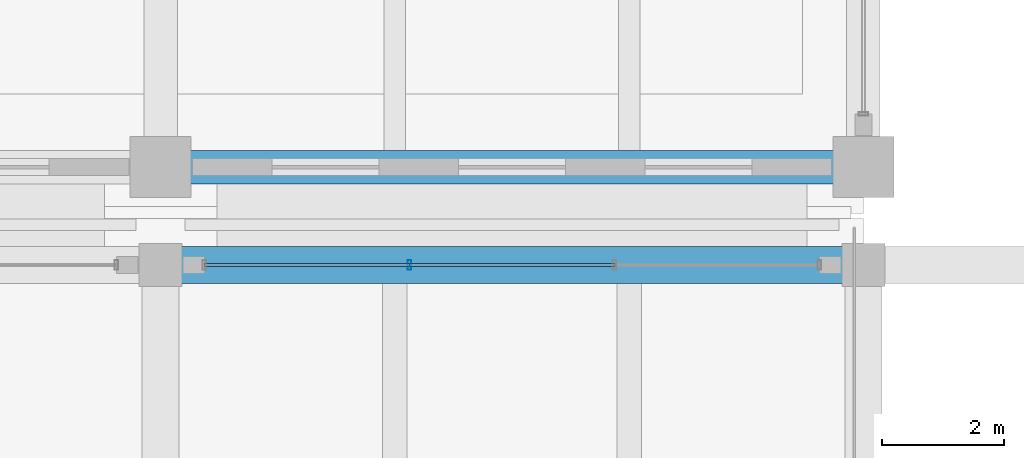
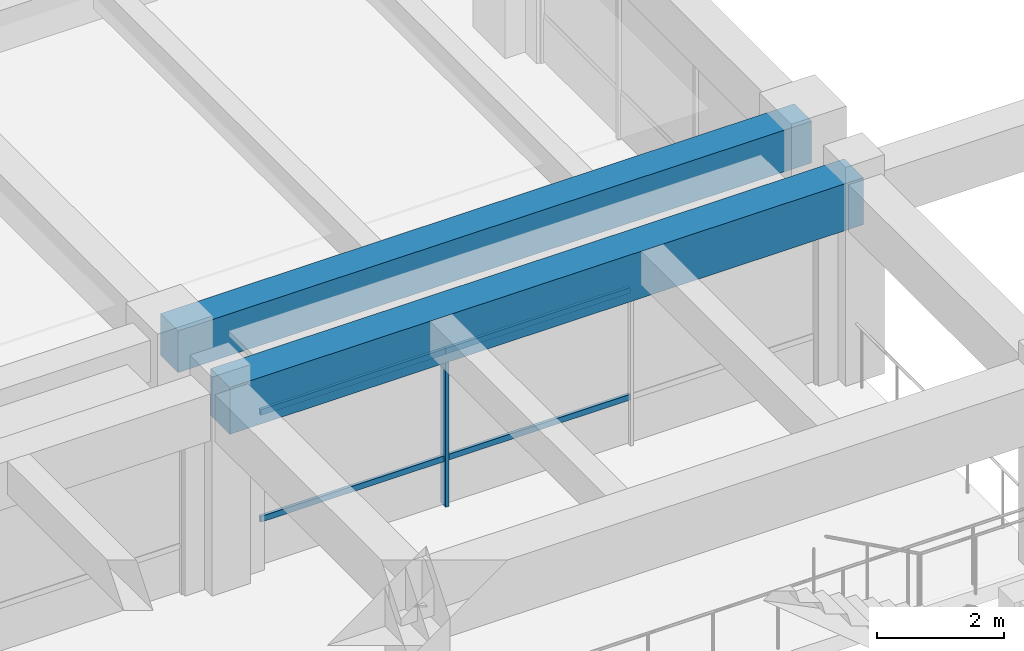
# One storey, part 27 of 98: 5 members, 2 beams, 1 element without a shape of its own.
"""IFC4 building model written with IfcOpenShell, lengths in metres."""

from ifc_helpers import new_model, si_unit, direction, frame, origin, origin_2d, place, context, subcontext, project, spatial, rectangle, hollow_rectangle, extrude, material, material_profile, profile_set, type_object, element, aggregate, save


model = new_model("IFC4")

# Units and contexts
model_context = context("Model", 3, precision=1e-05, world=origin(), true_north=direction((0.0, 1.0)))
body_context = subcontext(model_context, "Body", "Model", "MODEL_VIEW")
ifc_project = project(units=[si_unit("LENGTHUNIT", "METRE"), si_unit("AREAUNIT", "SQUARE_METRE"), si_unit("VOLUMEUNIT", "CUBIC_METRE"), si_unit("PLANEANGLEUNIT", "RADIAN"), si_unit("MASSUNIT", "GRAM", prefix="KILO")], contexts=[model_context])

# Site, building, storey
site_placement = place(None, origin())
site = spatial("IfcSite", under=ifc_project, at=site_placement, CompositionType="ELEMENT")
building_placement = place(site_placement, origin())
building = spatial("IfcBuilding", under=site, at=building_placement, Name="Ologun Quay Terminus", CompositionType="ELEMENT")
storey_placement = place(building_placement, frame((0.0, 0.0, 4.199951171875)))
storey = spatial("IfcBuildingStorey", under=building, at=storey_placement, Name="L01", CompositionType="ELEMENT", Elevation=4.199951171875)

# Curtain wall, members
ifc_material_1 = material(Name="Aluminium 6063-T6", Category="aluminium")
curtain_wall_type = type_object("IfcCurtainWallType", Name="Forecourt Mezzanine Curtain Wall 10700x3850", PredefinedType="USERDEFINED", material=ifc_material_1)
curtain_wall_placement = place(storey_placement, origin())
curtain_wall = element("IfcCurtainWall", 1, at=curtain_wall_placement, inside=storey, type_object=curtain_wall_type, Name="CW-04 Curtain Wall CW-L01-089", ObjectType="UNITISED CURTAIN WALL", PredefinedType="USERDEFINED")
ifc_material_2 = material(Name="Aluminium 6063-T6", Category="aluminium")
ifc_material_profile_1 = material_profile(ifc_material_2, hollow_rectangle(XDim=0.06005859375, YDim=0.159912109375, WallThickness=0.00390625, at=origin_2d()), Name="ALU 160x60x4")
ifc_profile_set_1 = profile_set([ifc_material_profile_1], Name="Aluminium 6063-T6")
member_type_1 = type_object("IfcMemberType", Name="Courtyard Screen Mullion 160x65", PredefinedType="MULLION", material=ifc_profile_set_1)
member_1_placement = place(storey_placement, frame((61.5732421875, 84.199951171875, 0.0), z_axis=(0.0, 0.0, 1.0), x_axis=(1.0, 0.0, 0.0)))
member_1 = element("IfcMember", 2, at=member_1_placement, type_object=member_type_1, Name="CW-L01-089 Mullion 2", PredefinedType="MULLION", context=body_context, shape_type="SweptSolid", body=[
    extrude(hollow_rectangle(XDim=0.06005859375, YDim=0.159912109375, WallThickness=0.00390625, at=origin_2d()), origin(), (0.0, 0.0, 1.0), 3.650146484375),
])
ifc_material_3 = material(Name="Aluminium 6063-T6", Category="aluminium")
ifc_material_profile_2 = material_profile(ifc_material_3, hollow_rectangle(XDim=0.054931640625, YDim=0.110107421875, WallThickness=0.00390625, at=origin_2d()), Name="ALU 110x55x4")
ifc_profile_set_2 = profile_set([ifc_material_profile_2], Name="Aluminium 6063-T6")
member_type_2 = type_object("IfcMemberType", Name="Courtyard Screen Transom 110x55", PredefinedType="USERDEFINED", material=ifc_profile_set_2)
member_2_placement = place(storey_placement, frame((58.219970703125, 84.199951171875, 0.900146484375), z_axis=(1.0, 0.0, 0.0), x_axis=(0.0, 1.0, 0.0)))
member_2 = element("IfcMember", 3, at=member_2_placement, type_object=member_type_2, Name="CW-L01-089 Transom B1-1", ObjectType="TRANSOM", PredefinedType="USERDEFINED", context=body_context, shape_type="SweptSolid", body=[
    extrude(hollow_rectangle(XDim=0.054931640625, YDim=0.110107421875, WallThickness=0.00390625, at=origin_2d()), origin(), (0.0, 0.0, 1.0), 3.353271484375),
])
member_3_placement = place(storey_placement, frame((58.219970703125, 84.199951171875, 2.949951171875), z_axis=(1.0, 0.0, 0.0), x_axis=(0.0, 1.0, 0.0)))
member_3 = element("IfcMember", 4, at=member_3_placement, type_object=member_type_2, Name="CW-L01-089 Transom B1-2", ObjectType="TRANSOM", PredefinedType="USERDEFINED", context=body_context, shape_type="SweptSolid", body=[
    extrude(hollow_rectangle(XDim=0.054931640625, YDim=0.110107421875, WallThickness=0.00390625, at=origin_2d()), origin(), (0.0, 0.0, 1.0), 3.353271484375),
])
member_4_placement = place(storey_placement, frame((61.5732421875, 84.199951171875, 0.900146484375), z_axis=(1.0, 0.0, 0.0), x_axis=(0.0, 1.0, 0.0)))
member_4 = element("IfcMember", 5, at=member_4_placement, type_object=member_type_2, Name="CW-L01-089 Transom B2-1", ObjectType="TRANSOM", PredefinedType="USERDEFINED", context=body_context, shape_type="SweptSolid", body=[
    extrude(hollow_rectangle(XDim=0.054931640625, YDim=0.110107421875, WallThickness=0.00390625, at=origin_2d()), origin(), (0.0, 0.0, 1.0), 3.353515625),
])
member_5_placement = place(storey_placement, frame((61.5732421875, 84.199951171875, 2.949951171875), z_axis=(1.0, 0.0, 0.0), x_axis=(0.0, 1.0, 0.0)))
member_5 = element("IfcMember", 6, at=member_5_placement, type_object=member_type_2, Name="CW-L01-089 Transom B2-2", ObjectType="TRANSOM", PredefinedType="USERDEFINED", context=body_context, shape_type="SweptSolid", body=[
    extrude(hollow_rectangle(XDim=0.054931640625, YDim=0.110107421875, WallThickness=0.00390625, at=origin_2d()), origin(), (0.0, 0.0, 1.0), 3.353515625),
])
aggregate(curtain_wall, [member_1, member_2, member_3, member_4, member_5])

# Beams
ifc_material_4 = material(Name="Concrete C40/50", Category="concrete")
ifc_material_profile_3 = material_profile(ifc_material_4, rectangle(XDim=0.550048828125, YDim=0.800048828125, at=origin_2d()), Name="RC 550x800")
ifc_profile_set_3 = profile_set([ifc_material_profile_3], Name="Concrete C40/50")
beam_type_1 = type_object("IfcBeamType", Name="Courtyard Wing Primary Girder 550x800", PredefinedType="BEAM", material=ifc_profile_set_3)
beam_1_placement = place(storey_placement, frame((57.5, 85.800048828125, 3.550048828125), z_axis=(1.0, 0.0, 0.0), x_axis=(0.0, 1.0, 0.0)))
element("IfcBeam", 7, at=beam_1_placement, inside=storey, type_object=beam_type_1, Name="B4 Beam 6/G2 L01", PredefinedType="BEAM", context=body_context, shape_type="SweptSolid", body=[
    extrude(rectangle(XDim=0.550048828125, YDim=0.800048828125, at=origin_2d()), origin(), (0.0, 0.0, 1.0), 11.5),
])
ifc_material_5 = material(Name="Concrete C40/50", Category="concrete")
ifc_material_profile_4 = material_profile(ifc_material_5, rectangle(XDim=0.60009765625, YDim=0.89990234375, at=origin_2d()), Name="RC 600x900")
ifc_profile_set_4 = profile_set([ifc_material_profile_4], Name="Concrete C40/50")
beam_type_2 = type_object("IfcBeamType", Name="Station Frame Girder 600x900", PredefinedType="BEAM", material=ifc_profile_set_4)
beam_2_placement = place(storey_placement, frame((57.5, 84.199951171875, 3.400146484375), z_axis=(1.0, 0.0, 0.0), x_axis=(0.0, 1.0, 0.0)))
element("IfcBeam", 8, at=beam_2_placement, inside=storey, type_object=beam_type_2, Name="B3 Beam 6/G1 L01", PredefinedType="BEAM", context=body_context, shape_type="SweptSolid", body=[
    extrude(rectangle(XDim=0.60009765625, YDim=0.89990234375, at=origin_2d()), origin(), (0.0, 0.0, 1.0), 11.5),
])

save(model, "model.ifc")
